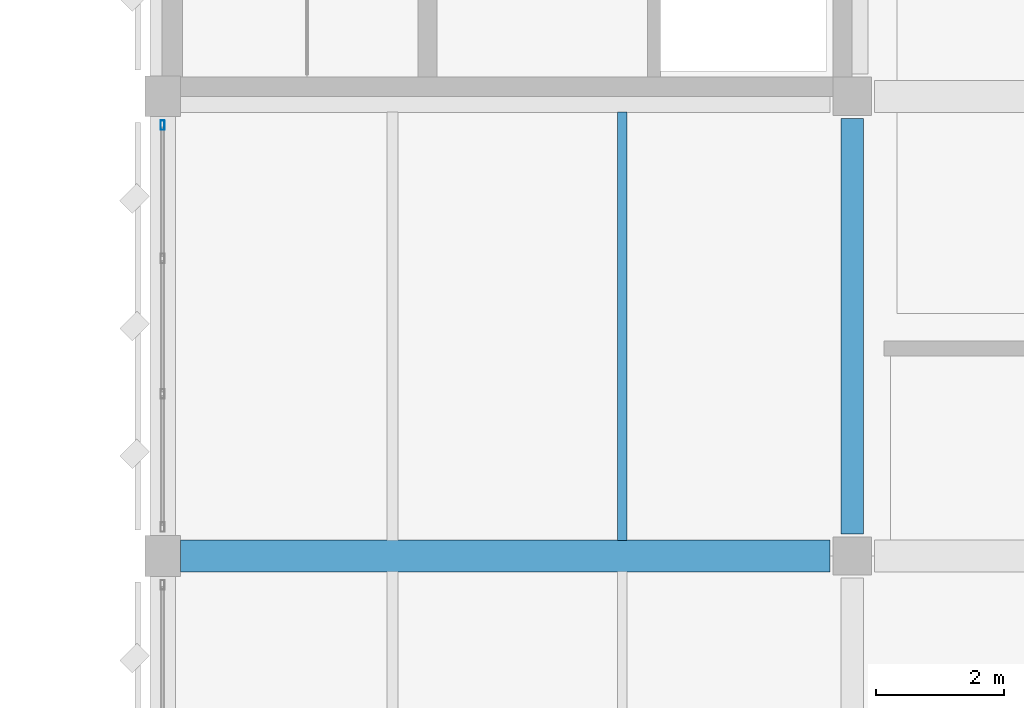
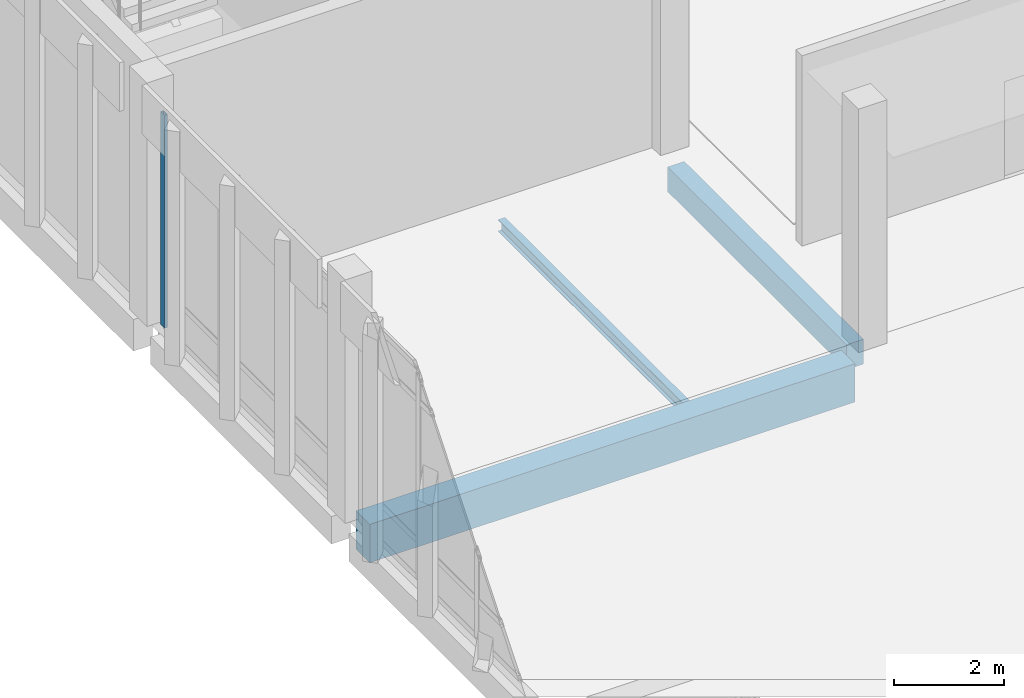
# One storey, part 66 of 180: 3 beams, 1 member, 1 element without a shape of its own.
"""IFC4 building model written with IfcOpenShell, lengths in metres."""

from ifc_helpers import new_model, si_unit, direction, frame, origin, origin_2d, place, context, subcontext, project, spatial, rectangle, hollow_rectangle, i_section, extrude, material, material_profile, profile_set, type_object, element, aggregate, save


model = new_model("IFC4")

# Units and contexts
model_context = context("Model", 3, precision=1e-05, world=origin(), true_north=direction((0.0, 1.0)))
body_context = subcontext(model_context, "Body", "Model", "MODEL_VIEW")
ifc_project = project(units=[si_unit("LENGTHUNIT", "METRE"), si_unit("AREAUNIT", "SQUARE_METRE"), si_unit("VOLUMEUNIT", "CUBIC_METRE"), si_unit("PLANEANGLEUNIT", "RADIAN"), si_unit("MASSUNIT", "GRAM", prefix="KILO")], contexts=[model_context])

# Site, building, storey
site_placement = place(None, origin())
site = spatial("IfcSite", under=ifc_project, at=site_placement, CompositionType="ELEMENT")
building_placement = place(site_placement, origin())
building = spatial("IfcBuilding", under=site, at=building_placement, Name="Lusvemor Sports Hall", CompositionType="ELEMENT")
storey_placement = place(building_placement, frame((0.0, 0.0, 5.39990234375)))
storey = spatial("IfcBuildingStorey", under=building, at=storey_placement, Name="L01", CompositionType="ELEMENT", Elevation=5.39990234375)

# Beam
ifc_material_1 = material(Name="Concrete C40/50", Category="concrete")
ifc_material_profile_1 = material_profile(ifc_material_1, rectangle(XDim=0.35009765625, YDim=0.550048828125, at=origin_2d()), Name="RC350x550")
ifc_profile_set_1 = profile_set([ifc_material_profile_1], Name="Concrete C40/50")
beam_type_1 = type_object("IfcBeamType", Name="BEAM_RC_550", PredefinedType="BEAM", material=ifc_profile_set_1)
beam_1_placement = place(storey_placement, frame((10.800048828125, 97.5458984375, -0.534912109375), z_axis=(0.0, 1.0, 0.0), x_axis=(-1.0, 0.0, 0.0)))
element("IfcBeam", 1, at=beam_1_placement, inside=storey, type_object=beam_type_1, Name="Beam L01 2:N-P", PredefinedType="BEAM", context=body_context, shape_type="SweptSolid", body=[
    extrude(rectangle(XDim=0.35009765625, YDim=0.550048828125, at=origin_2d()), origin(), (0.0, 0.0, 1.0), 6.508056640625),
])

# Curtain wall, member
ifc_material_2 = material(Name="Thermally broken bronze-anodized aluminium", Category="aluminium")
curtain_wall_type = type_object("IfcCurtainWallType", Name="CW_WING_B", PredefinedType="NOTDEFINED", material=ifc_material_2)
curtain_wall_placement = place(storey_placement, origin())
curtain_wall = element("IfcCurtainWall", 2, at=curtain_wall_placement, inside=storey, type_object=curtain_wall_type, Name="Curtain Wall CW-L01-W-0-7", PredefinedType="NOTDEFINED")
ifc_material_3 = material(Name="Thermally broken bronze-anodized aluminium", Category="aluminium")
ifc_material_profile_2 = material_profile(ifc_material_3, hollow_rectangle(XDim=0.06494140625, YDim=0.14990234375, WallThickness=0.00390625, InnerFilletRadius=0.00390625, OuterFilletRadius=0.008056640625, at=origin_2d()), Name="CWMUL150x65x4")
ifc_profile_set_2 = profile_set([ifc_material_profile_2], Name="Thermally broken bronze-anodized aluminium")
member_type = type_object("IfcMemberType", Name="CW_MUL_B", PredefinedType="MULLION", material=ifc_profile_set_2)
member_placement = place(storey_placement, frame((0.0, 103.947509765625, 0.0), z_axis=(0.0, 0.0, 1.0), x_axis=(-1.0, 0.0, 0.0)))
member = element("IfcMember", 3, at=member_placement, type_object=member_type, Name="CW02 mullion 4", PredefinedType="MULLION", context=body_context, shape_type="SweptSolid", body=[
    extrude(hollow_rectangle(XDim=0.06494140625, YDim=0.14990234375, WallThickness=0.00390625, InnerFilletRadius=0.00390625, OuterFilletRadius=0.008056640625, at=origin_2d()), origin(), (0.0, 0.0, 1.0), 4.72021484375),
])
aggregate(curtain_wall, [member])

# Beams
ifc_material_4 = material(Name="Concrete C40/50", Category="concrete")
ifc_material_profile_3 = material_profile(ifc_material_4, rectangle(XDim=0.5, YDim=0.85009765625, at=origin_2d()), Name="RC500x850")
ifc_profile_set_3 = profile_set([ifc_material_profile_3], Name="Concrete C40/50")
beam_type_2 = type_object("IfcBeamType", Name="GIRD_RC_850", PredefinedType="T_BEAM", material=ifc_profile_set_3)
beam_2_placement = place(storey_placement, frame((0.27587890625, 97.199951171875, -0.684814453125), z_axis=(1.0, 0.0, 0.0), x_axis=(0.0, 1.0, 0.0)))
element("IfcBeam", 4, at=beam_2_placement, inside=storey, type_object=beam_type_2, Name="Beam L01 N:1-2", PredefinedType="T_BEAM", context=body_context, shape_type="SweptSolid", body=[
    extrude(rectangle(XDim=0.5, YDim=0.85009765625, at=origin_2d()), origin(), (0.0, 0.0, 1.0), 10.17822265625),
])
ifc_material_5 = material(Name="Steel S355", Category="steel")
ifc_material_profile_4 = material_profile(ifc_material_5, i_section(OverallWidth=0.14794921875, OverallDepth=0.26611328125, WebThickness=0.007568359375, FlangeThickness=0.012939453125, FilletRadius=0.012939453125, at=origin_2d()), Name="W250x44.8")
ifc_profile_set_4 = profile_set([ifc_material_profile_4], Name="Steel S355")
beam_type_3 = type_object("IfcBeamType", Name="JOIST_ST_250M", PredefinedType="JOIST", material=ifc_profile_set_4)
beam_3_placement = place(storey_placement, frame((7.199951171875, 97.446044921875, -0.39697265625), z_axis=(0.0, 1.0, 0.0), x_axis=(-1.0, 0.0, 0.0)))
element("IfcBeam", 5, at=beam_3_placement, inside=storey, type_object=beam_type_3, Name="Secondary Joist L01 1-2/N-P #2", PredefinedType="JOIST", context=body_context, shape_type="SweptSolid", body=[
    extrude(i_section(OverallWidth=0.14794921875, OverallDepth=0.26611328125, WebThickness=0.007568359375, FlangeThickness=0.012939453125, FilletRadius=0.012939453125, at=origin_2d()), origin(), (0.0, 0.0, 1.0), 6.7080078125),
])

save(model, "model.ifc")
